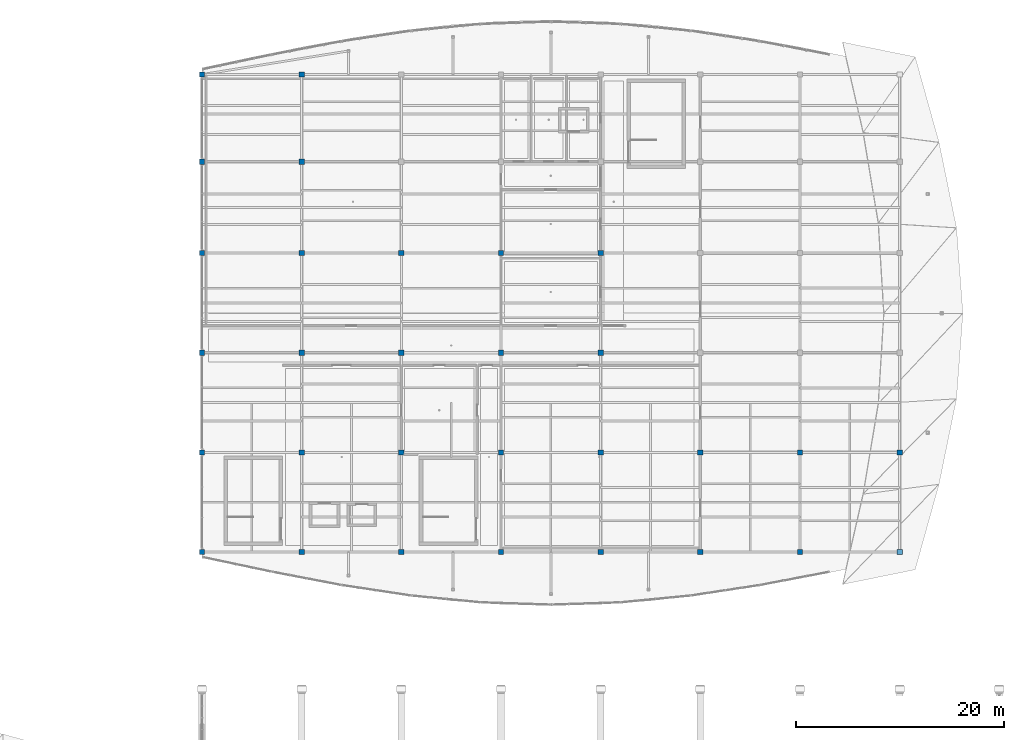
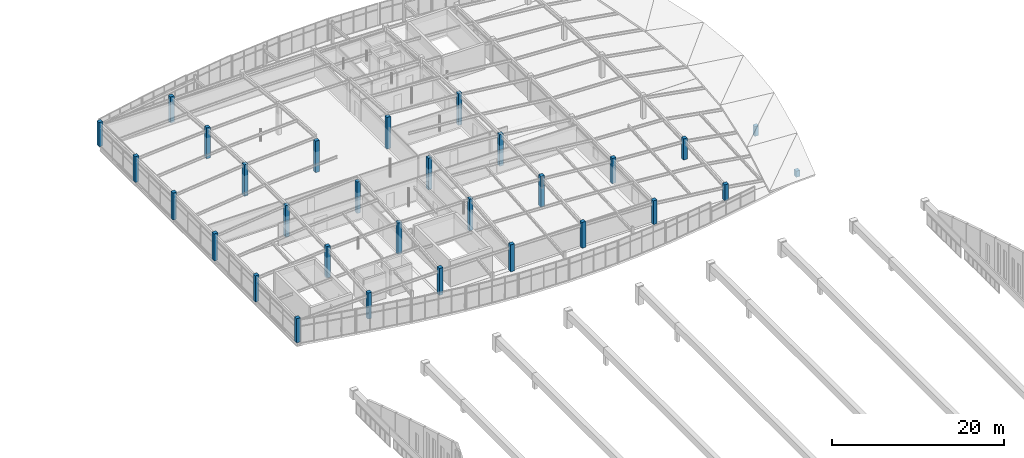
# One storey, part 6 of 65: 30 columns.
"""IFC4 building model written with IfcOpenShell, lengths in metres."""

from ifc_helpers import new_model, si_unit, direction, frame, origin, origin_2d, place, context, subcontext, project, spatial, rectangle, extrude, material, material_profile, profile_set, type_object, element, save


model = new_model("IFC4")

# Units and contexts
model_context = context("Model", 3, precision=1e-05, world=origin(), true_north=direction((0.0, 1.0)))
body_context = subcontext(model_context, "Body", "Model", "MODEL_VIEW")
ifc_project = project(units=[si_unit("LENGTHUNIT", "METRE"), si_unit("AREAUNIT", "SQUARE_METRE"), si_unit("VOLUMEUNIT", "CUBIC_METRE"), si_unit("PLANEANGLEUNIT", "RADIAN"), si_unit("MASSUNIT", "GRAM", prefix="KILO")], contexts=[model_context])

# Site, building, storey
site_placement = place(None, origin())
site = spatial("IfcSite", under=ifc_project, at=site_placement, CompositionType="ELEMENT")
building_placement = place(site_placement, origin())
building = spatial("IfcBuilding", under=site, at=building_placement, Name="Chalmorin Arch Market", CompositionType="ELEMENT")
storey_placement = place(building_placement, frame((0.0, 0.0, 14.10009765625)))
storey = spatial("IfcBuildingStorey", under=building, at=storey_placement, Name="L03", CompositionType="ELEMENT", Elevation=14.10009765625)

# Columns
ifc_material = material(Name="Concrete C40/50", Category="concrete")
ifc_material_profile = material_profile(ifc_material, rectangle(XDim=0.5, YDim=0.5, at=origin_2d()), Name="RC500X500")
ifc_profile_set = profile_set([ifc_material_profile], Name="Concrete C40/50")
column_type = type_object("IfcColumnType", Name="UpperConcreteColumn-500x500", PredefinedType="COLUMN", material=ifc_profile_set)
column_1_placement = place(storey_placement, frame((48.0, 72.0, 0.0), z_axis=(0.0, 0.0, 1.0), x_axis=(1.0, 0.0, 0.0)))
element("IfcColumn", 1, at=column_1_placement, inside=storey, type_object=column_type, Name="C-RC3-229", PredefinedType="COLUMN", context=body_context, shape_type="SweptSolid", body=[
    extrude(rectangle(XDim=0.5, YDim=0.5, at=origin_2d()), origin(), (0.0, 0.0, 1.0), 3.4248046875),
])
column_2_placement = place(storey_placement, frame((48.0, 81.60009765625, 0.0), z_axis=(0.0, 0.0, 1.0), x_axis=(1.0, 0.0, 0.0)))
element("IfcColumn", 2, at=column_2_placement, inside=storey, type_object=column_type, Name="C-RC3-234", PredefinedType="COLUMN", context=body_context, shape_type="SweptSolid", body=[
    extrude(rectangle(XDim=0.5, YDim=0.5, at=origin_2d()), origin(), (0.0, 0.0, 1.0), 3.703857421875),
])
column_3_placement = place(storey_placement, frame((48.0, 91.199951171875, 0.0), z_axis=(0.0, 0.0, 1.0), x_axis=(1.0, 0.0, 0.0)))
element("IfcColumn", 3, at=column_3_placement, inside=storey, type_object=column_type, Name="C-RC3-239", PredefinedType="COLUMN", context=body_context, shape_type="SweptSolid", body=[
    extrude(rectangle(XDim=0.5, YDim=0.5, at=origin_2d()), origin(), (0.0, 0.0, 1.0), 3.85595703125),
])
column_4_placement = place(storey_placement, frame((48.0, 100.800048828125, 0.0), z_axis=(0.0, 0.0, 1.0), x_axis=(1.0, 0.0, 0.0)))
element("IfcColumn", 4, at=column_4_placement, inside=storey, type_object=column_type, Name="C-RC3-244", PredefinedType="COLUMN", context=body_context, shape_type="SweptSolid", body=[
    extrude(rectangle(XDim=0.5, YDim=0.5, at=origin_2d()), origin(), (0.0, 0.0, 1.0), 3.8369140625),
])
column_5_placement = place(storey_placement, frame((48.0, 109.60009765625, 0.0), z_axis=(0.0, 0.0, 1.0), x_axis=(1.0, 0.0, 0.0)))
element("IfcColumn", 5, at=column_5_placement, inside=storey, type_object=column_type, Name="C-RC3-249", PredefinedType="COLUMN", context=body_context, shape_type="SweptSolid", body=[
    extrude(rectangle(XDim=0.5, YDim=0.5, at=origin_2d()), origin(), (0.0, 0.0, 1.0), 3.673828125),
])
column_6_placement = place(storey_placement, frame((48.0, 118.0, 0.0), z_axis=(0.0, 0.0, 1.0), x_axis=(1.0, 0.0, 0.0)))
element("IfcColumn", 6, at=column_6_placement, inside=storey, type_object=column_type, Name="C-RC3-254", PredefinedType="COLUMN", context=body_context, shape_type="SweptSolid", body=[
    extrude(rectangle(XDim=0.5, YDim=0.5, at=origin_2d()), origin(), (0.0, 0.0, 1.0), 3.4248046875),
])
column_7_placement = place(storey_placement, frame((57.60009765625, 72.0, 0.0), z_axis=(0.0, 0.0, 1.0), x_axis=(1.0, 0.0, 0.0)))
element("IfcColumn", 7, at=column_7_placement, inside=storey, type_object=column_type, Name="C-RC3-284", PredefinedType="COLUMN", context=body_context, shape_type="SweptSolid", body=[
    extrude(rectangle(XDim=0.5, YDim=0.5, at=origin_2d()), origin(), (0.0, 0.0, 1.0), 3.704833984375),
])
column_8_placement = place(storey_placement, frame((57.60009765625, 81.60009765625, 0.0), z_axis=(0.0, 0.0, 1.0), x_axis=(1.0, 0.0, 0.0)))
element("IfcColumn", 8, at=column_8_placement, inside=storey, type_object=column_type, Name="C-RC3-289", PredefinedType="COLUMN", context=body_context, shape_type="SweptSolid", body=[
    extrude(rectangle(XDim=0.5, YDim=0.5, at=origin_2d()), origin(), (0.0, 0.0, 1.0), 4.48486328125),
])
for number, where, z_axis, x_axis, name in (
    (9, (57.60009765625, 91.199951171875, 0.0), (0.0, 0.0, 1.0), (1.0, 0.0, 0.0), "C-RC3-294"),
    (10, (57.60009765625, 100.800048828125, 0.0), (0.0, 0.0, 1.0), (1.0, 0.0, 0.0), "C-RC3-299"),
):
    element("IfcColumn", number, at=place(storey_placement, frame(where, z_axis=z_axis, x_axis=x_axis)), inside=storey, type_object=column_type, Name=name, PredefinedType="COLUMN", context=body_context, shape_type="SweptSolid", body=[
        extrude(rectangle(XDim=0.5, YDim=0.5, at=origin_2d()), origin(), (0.0, 0.0, 1.0), 4.5),
    ])
column_9_placement = place(storey_placement, frame((57.60009765625, 109.60009765625, 0.0), z_axis=(0.0, 0.0, 1.0), x_axis=(1.0, 0.0, 0.0)))
element("IfcColumn", 11, at=column_9_placement, inside=storey, type_object=column_type, Name="C-RC3-304", PredefinedType="COLUMN", context=body_context, shape_type="SweptSolid", body=[
    extrude(rectangle(XDim=0.5, YDim=0.5, at=origin_2d()), origin(), (0.0, 0.0, 1.0), 4.40283203125),
])
column_10_placement = place(storey_placement, frame((57.60009765625, 118.0, 0.0), z_axis=(0.0, 0.0, 1.0), x_axis=(1.0, 0.0, 0.0)))
element("IfcColumn", 12, at=column_10_placement, inside=storey, type_object=column_type, Name="C-RC3-309", PredefinedType="COLUMN", context=body_context, shape_type="SweptSolid", body=[
    extrude(rectangle(XDim=0.5, YDim=0.5, at=origin_2d()), origin(), (0.0, 0.0, 1.0), 3.704833984375),
])
column_11_placement = place(storey_placement, frame((67.199951171875, 72.0, 0.0), z_axis=(0.0, 0.0, 1.0), x_axis=(1.0, 0.0, 0.0)))
element("IfcColumn", 13, at=column_11_placement, inside=storey, type_object=column_type, Name="C-RC3-339", PredefinedType="COLUMN", context=body_context, shape_type="SweptSolid", body=[
    extrude(rectangle(XDim=0.5, YDim=0.5, at=origin_2d()), origin(), (0.0, 0.0, 1.0), 3.86083984375),
])
for number, where, z_axis, x_axis, name in (
    (14, (67.199951171875, 81.60009765625, 0.0), (0.0, 0.0, 1.0), (1.0, 0.0, 0.0), "C-RC3-344"),
    (15, (67.199951171875, 91.199951171875, 0.0), (0.0, 0.0, 1.0), (1.0, 0.0, 0.0), "C-RC3-349"),
    (16, (67.199951171875, 100.800048828125, 0.0), (0.0, 0.0, 1.0), (1.0, 0.0, 0.0), "C-RC3-354"),
):
    element("IfcColumn", number, at=place(storey_placement, frame(where, z_axis=z_axis, x_axis=x_axis)), inside=storey, type_object=column_type, Name=name, PredefinedType="COLUMN", context=body_context, shape_type="SweptSolid", body=[
        extrude(rectangle(XDim=0.5, YDim=0.5, at=origin_2d()), origin(), (0.0, 0.0, 1.0), 4.5),
    ])
column_12_placement = place(storey_placement, frame((76.800048828125, 72.0, 0.0), z_axis=(0.0, 0.0, 1.0), x_axis=(1.0, 0.0, 0.0)))
element("IfcColumn", 17, at=column_12_placement, inside=storey, type_object=column_type, Name="C-RC3-394", PredefinedType="COLUMN", context=body_context, shape_type="SweptSolid", body=[
    extrude(rectangle(XDim=0.5, YDim=0.5, at=origin_2d()), origin(), (0.0, 0.0, 1.0), 3.850830078125),
])
for number, where, z_axis, x_axis, name in (
    (18, (76.800048828125, 81.60009765625, 0.0), (0.0, 0.0, 1.0), (1.0, 0.0, 0.0), "C-RC3-399"),
    (19, (76.800048828125, 91.199951171875, 0.0), (0.0, 0.0, 1.0), (1.0, 0.0, 0.0), "C-RC3-404"),
    (20, (76.800048828125, 100.800048828125, 0.0), (0.0, 0.0, 1.0), (1.0, 0.0, 0.0), "C-RC3-409"),
):
    element("IfcColumn", number, at=place(storey_placement, frame(where, z_axis=z_axis, x_axis=x_axis)), inside=storey, type_object=column_type, Name=name, PredefinedType="COLUMN", context=body_context, shape_type="SweptSolid", body=[
        extrude(rectangle(XDim=0.5, YDim=0.5, at=origin_2d()), origin(), (0.0, 0.0, 1.0), 4.5),
    ])
column_13_placement = place(storey_placement, frame((86.39990234375, 72.0, 0.0), z_axis=(0.0, 0.0, 1.0), x_axis=(1.0, 0.0, 0.0)))
element("IfcColumn", 21, at=column_13_placement, inside=storey, type_object=column_type, Name="C-RC3-449", PredefinedType="COLUMN", context=body_context, shape_type="SweptSolid", body=[
    extrude(rectangle(XDim=0.5, YDim=0.5, at=origin_2d()), origin(), (0.0, 0.0, 1.0), 3.6748046875),
])
column_14_placement = place(storey_placement, frame((86.39990234375, 81.60009765625, 0.0), z_axis=(0.0, 0.0, 1.0), x_axis=(1.0, 0.0, 0.0)))
element("IfcColumn", 22, at=column_14_placement, inside=storey, type_object=column_type, Name="C-RC3-454", PredefinedType="COLUMN", context=body_context, shape_type="SweptSolid", body=[
    extrude(rectangle(XDim=0.5, YDim=0.5, at=origin_2d()), origin(), (0.0, 0.0, 1.0), 4.40185546875),
])
for number, where, z_axis, x_axis, name in (
    (23, (86.39990234375, 91.199951171875, 0.0), (0.0, 0.0, 1.0), (1.0, 0.0, 0.0), "C-RC3-459"),
    (24, (86.39990234375, 100.800048828125, 0.0), (0.0, 0.0, 1.0), (1.0, 0.0, 0.0), "C-RC3-464"),
):
    element("IfcColumn", number, at=place(storey_placement, frame(where, z_axis=z_axis, x_axis=x_axis)), inside=storey, type_object=column_type, Name=name, PredefinedType="COLUMN", context=body_context, shape_type="SweptSolid", body=[
        extrude(rectangle(XDim=0.5, YDim=0.5, at=origin_2d()), origin(), (0.0, 0.0, 1.0), 4.5),
    ])
column_15_placement = place(storey_placement, frame((96.0, 72.0, 0.0), z_axis=(0.0, 0.0, 1.0), x_axis=(1.0, 0.0, 0.0)))
element("IfcColumn", 25, at=column_15_placement, inside=storey, type_object=column_type, Name="C-RC3-504", PredefinedType="COLUMN", context=body_context, shape_type="SweptSolid", body=[
    extrude(rectangle(XDim=0.5, YDim=0.5, at=origin_2d()), origin(), (0.0, 0.0, 1.0), 3.385009765625),
])
column_16_placement = place(storey_placement, frame((96.0, 81.60009765625, 0.0), z_axis=(0.0, 0.0, 1.0), x_axis=(1.0, 0.0, 0.0)))
element("IfcColumn", 26, at=column_16_placement, inside=storey, type_object=column_type, Name="C-RC3-509", PredefinedType="COLUMN", context=body_context, shape_type="SweptSolid", body=[
    extrude(rectangle(XDim=0.5, YDim=0.5, at=origin_2d()), origin(), (0.0, 0.0, 1.0), 3.591796875),
])
column_17_placement = place(storey_placement, frame((105.60009765625, 72.0, 0.0), z_axis=(0.0, 0.0, 1.0), x_axis=(1.0, 0.0, 0.0)))
element("IfcColumn", 27, at=column_17_placement, inside=storey, type_object=column_type, Name="C-RC3-559", PredefinedType="COLUMN", context=body_context, shape_type="SweptSolid", body=[
    extrude(rectangle(XDim=0.5, YDim=0.5, at=origin_2d()), origin(), (0.0, 0.0, 1.0), 2.308837890625),
])
column_18_placement = place(storey_placement, frame((105.60009765625, 81.60009765625, 0.0), z_axis=(0.0, 0.0, 1.0), x_axis=(1.0, 0.0, 0.0)))
element("IfcColumn", 28, at=column_18_placement, inside=storey, type_object=column_type, Name="C-RC3-564", PredefinedType="COLUMN", context=body_context, shape_type="SweptSolid", body=[
    extrude(rectangle(XDim=0.5, YDim=0.5, at=origin_2d()), origin(), (0.0, 0.0, 1.0), 3.0078125),
])
column_19_placement = place(storey_placement, frame((115.199951171875, 72.0, 0.0), z_axis=(0.0, 0.0, 1.0), x_axis=(1.0, 0.0, 0.0)))
element("IfcColumn", 29, at=column_19_placement, inside=storey, type_object=column_type, Name="C-RC3-614", PredefinedType="COLUMN", context=body_context, shape_type="SweptSolid", body=[
    extrude(rectangle(XDim=0.5, YDim=0.5, at=origin_2d()), origin(), (0.0, 0.0, 1.0), 0.868896484375),
])
column_20_placement = place(storey_placement, frame((115.199951171875, 81.60009765625, 0.0), z_axis=(0.0, 0.0, 1.0), x_axis=(1.0, 0.0, 0.0)))
element("IfcColumn", 30, at=column_20_placement, inside=storey, type_object=column_type, Name="C-RC3-619", PredefinedType="COLUMN", context=body_context, shape_type="SweptSolid", body=[
    extrude(rectangle(XDim=0.5, YDim=0.5, at=origin_2d()), origin(), (0.0, 0.0, 1.0), 1.408935546875),
])

save(model, "model.ifc")
